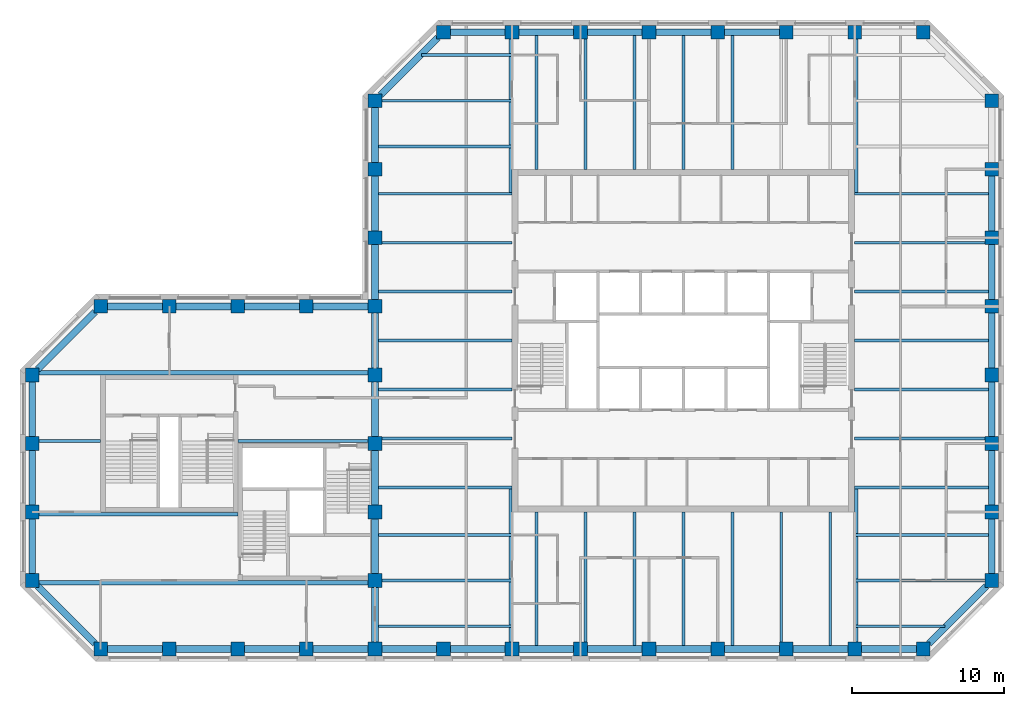
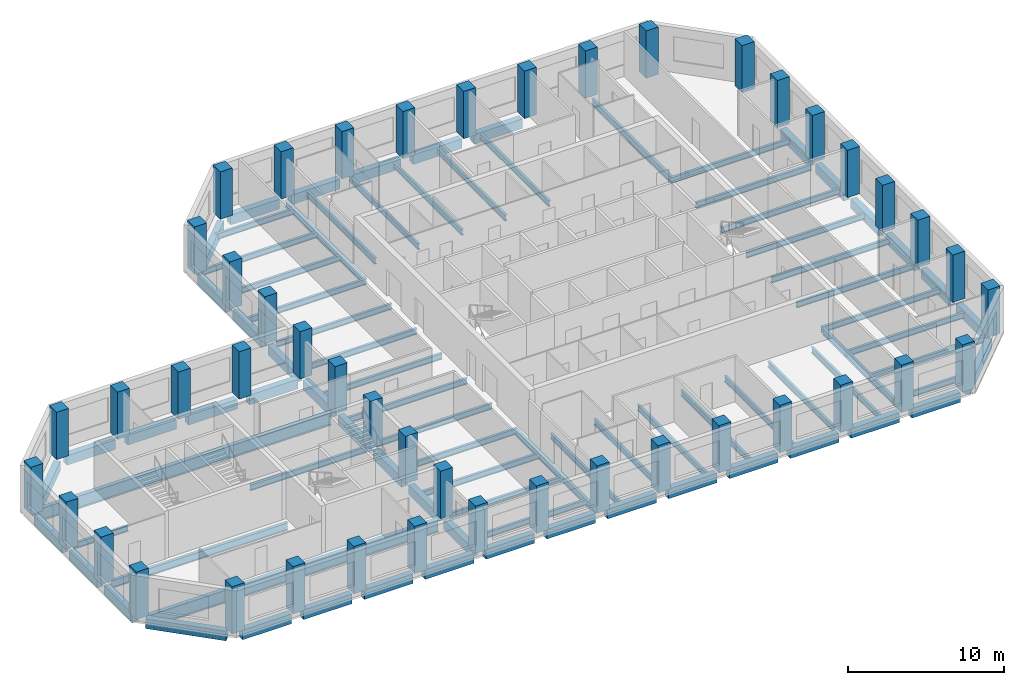
# One storey, part 1 of 9: 86 beams, 45 columns.
"""IFC4 building model written with IfcOpenShell, lengths in metres."""

from ifc_helpers import new_model, si_unit, direction, frame, origin, origin_2d, place, context, subcontext, project, spatial, rectangle, i_section, extrude, material, material_profile, profile_set, type_object, element, save


model = new_model("IFC4")

# Units and contexts
model_context = context("Model", 3, precision=1e-05, world=origin(), true_north=direction((0.0, 1.0)))
body_context = subcontext(model_context, "Body", "Model", "MODEL_VIEW")
ifc_project = project(units=[si_unit("LENGTHUNIT", "METRE"), si_unit("AREAUNIT", "SQUARE_METRE"), si_unit("VOLUMEUNIT", "CUBIC_METRE"), si_unit("PLANEANGLEUNIT", "RADIAN"), si_unit("MASSUNIT", "GRAM", prefix="KILO")], contexts=[model_context])

# Site, building, storey
site_placement = place(None, origin())
site = spatial("IfcSite", under=ifc_project, at=site_placement, CompositionType="ELEMENT")
building_placement = place(site_placement, origin())
building = spatial("IfcBuilding", under=site, at=building_placement, Name="Quoin Convention Tower", CompositionType="ELEMENT")
storey_placement = place(building_placement, frame((0.0, 0.0, 248.89990234375)))
storey = spatial("IfcBuildingStorey", under=building, at=storey_placement, Name="L65", CompositionType="ELEMENT", Elevation=248.89990234375)

# Columns
ifc_material_1 = material(Name="Concrete C50", Category="concrete")
ifc_material_profile_1 = material_profile(ifc_material_1, rectangle(XDim=0.89990234375, YDim=0.89990234375, at=origin_2d()), Name="RC 900x900")
ifc_profile_set_1 = profile_set([ifc_material_profile_1], Name="Concrete C50")
column_type = type_object("IfcColumnType", Name="RC 900x900 C50", PredefinedType="COLUMN", material=ifc_profile_set_1)
for number, where, z_axis, x_axis, name in (
    (1, (18.0, 40.5, 0.0), (0.0, 0.0, 1.0), (1.0, 0.0, 0.0), "col-L65-18000_40500"),
    (2, (22.5, 40.5, 0.0), (0.0, 0.0, 1.0), (1.0, 0.0, 0.0), "col-L65-22500_40500"),
    (3, (27.0, 40.5, 0.0), (0.0, 0.0, 1.0), (1.0, 0.0, 0.0), "col-L65-27000_40500"),
    (4, (31.5, 40.5, 0.0), (0.0, 0.0, 1.0), (1.0, 0.0, 0.0), "col-L65-31500_40500"),
    (5, (36.0, 40.5, 0.0), (0.0, 0.0, 1.0), (1.0, 0.0, 0.0), "col-L65-36000_40500"),
    (6, (40.5, 40.5, 0.0), (0.0, 0.0, 1.0), (1.0, 0.0, 0.0), "col-L65-40500_40500"),
    (7, (45.0, 40.5, 0.0), (0.0, 0.0, 1.0), (1.0, 0.0, 0.0), "col-L65-45000_40500"),
    (8, (49.5, 40.5, 0.0), (0.0, 0.0, 1.0), (1.0, 0.0, 0.0), "col-L65-49500_40500"),
    (9, (54.0, 40.5, 0.0), (0.0, 0.0, 1.0), (1.0, 0.0, 0.0), "col-L65-54000_40500"),
    (10, (58.5, 40.5, 0.0), (0.0, 0.0, 1.0), (1.0, 0.0, 0.0), "col-L65-58500_40500"),
    (11, (63.0, 40.5, 0.0), (0.0, 0.0, 1.0), (1.0, 0.0, 0.0), "col-L65-63000_40500"),
    (12, (67.5, 40.5, 0.0), (0.0, 0.0, 1.0), (1.0, 0.0, 0.0), "col-L65-67500_40500"),
    (13, (72.0, 40.5, 0.0), (0.0, 0.0, 1.0), (1.0, 0.0, 0.0), "col-L65-72000_40500"),
    (14, (13.5, 45.0, 0.0), (0.0, 0.0, 1.0), (1.0, 0.0, 0.0), "col-L65-13500_45000"),
    (15, (36.0, 45.0, 0.0), (0.0, 0.0, 1.0), (1.0, 0.0, 0.0), "web-L65-36000_45000"),
    (16, (76.5, 45.0, 0.0), (0.0, 0.0, 1.0), (1.0, 0.0, 0.0), "col-L65-76500_45000"),
    (17, (13.5, 49.5, 0.0), (0.0, 0.0, 1.0), (1.0, 0.0, 0.0), "col-L65-13500_49500"),
    (18, (36.0, 49.5, 0.0), (0.0, 0.0, 1.0), (1.0, 0.0, 0.0), "web-L65-36000_49500"),
    (19, (76.5, 49.5, 0.0), (0.0, 0.0, 1.0), (1.0, 0.0, 0.0), "col-L65-76500_49500"),
    (20, (13.5, 54.0, 0.0), (0.0, 0.0, 1.0), (1.0, 0.0, 0.0), "col-L65-13500_54000"),
    (21, (36.0, 54.0, 0.0), (0.0, 0.0, 1.0), (1.0, 0.0, 0.0), "web-L65-36000_54000"),
    (22, (76.5, 54.0, 0.0), (0.0, 0.0, 1.0), (1.0, 0.0, 0.0), "col-L65-76500_54000"),
    (23, (13.5, 58.5, 0.0), (0.0, 0.0, 1.0), (1.0, 0.0, 0.0), "col-L65-13500_58500"),
    (24, (36.0, 58.5, 0.0), (0.0, 0.0, 1.0), (1.0, 0.0, 0.0), "web-L65-36000_58500"),
    (25, (76.5, 58.5, 0.0), (0.0, 0.0, 1.0), (1.0, 0.0, 0.0), "col-L65-76500_58500"),
    (26, (18.0, 63.0, 0.0), (0.0, 0.0, 1.0), (1.0, 0.0, 0.0), "col-L65-18000_63000"),
    (27, (22.5, 63.0, 0.0), (0.0, 0.0, 1.0), (1.0, 0.0, 0.0), "col-L65-22500_63000"),
    (28, (27.0, 63.0, 0.0), (0.0, 0.0, 1.0), (1.0, 0.0, 0.0), "col-L65-27000_63000"),
    (29, (31.5, 63.0, 0.0), (0.0, 0.0, 1.0), (1.0, 0.0, 0.0), "col-L65-31500_63000"),
    (30, (36.0, 63.0, 0.0), (0.0, 0.0, 1.0), (1.0, 0.0, 0.0), "col-L65-36000_63000"),
    (31, (76.5, 63.0, 0.0), (0.0, 0.0, 1.0), (1.0, 0.0, 0.0), "col-L65-76500_63000"),
    (32, (36.0, 67.5, 0.0), (0.0, 0.0, 1.0), (1.0, 0.0, 0.0), "col-L65-36000_67500"),
    (33, (76.5, 67.5, 0.0), (0.0, 0.0, 1.0), (1.0, 0.0, 0.0), "col-L65-76500_67500"),
    (34, (36.0, 72.0, 0.0), (0.0, 0.0, 1.0), (1.0, 0.0, 0.0), "col-L65-36000_72000"),
    (35, (76.5, 72.0, 0.0), (0.0, 0.0, 1.0), (1.0, 0.0, 0.0), "col-L65-76500_72000"),
    (36, (36.0, 76.5, 0.0), (0.0, 0.0, 1.0), (1.0, 0.0, 0.0), "col-L65-36000_76500"),
    (37, (76.5, 76.5, 0.0), (0.0, 0.0, 1.0), (1.0, 0.0, 0.0), "col-L65-76500_76500"),
    (38, (40.5, 81.0, 0.0), (0.0, 0.0, 1.0), (1.0, 0.0, 0.0), "col-L65-40500_81000"),
    (39, (45.0, 81.0, 0.0), (0.0, 0.0, 1.0), (1.0, 0.0, 0.0), "col-L65-45000_81000"),
    (40, (49.5, 81.0, 0.0), (0.0, 0.0, 1.0), (1.0, 0.0, 0.0), "col-L65-49500_81000"),
    (41, (54.0, 81.0, 0.0), (0.0, 0.0, 1.0), (1.0, 0.0, 0.0), "col-L65-54000_81000"),
    (42, (58.5, 81.0, 0.0), (0.0, 0.0, 1.0), (1.0, 0.0, 0.0), "col-L65-58500_81000"),
    (43, (63.0, 81.0, 0.0), (0.0, 0.0, 1.0), (1.0, 0.0, 0.0), "col-L65-63000_81000"),
    (44, (67.5, 81.0, 0.0), (0.0, 0.0, 1.0), (1.0, 0.0, 0.0), "col-L65-67500_81000"),
    (45, (72.0, 81.0, 0.0), (0.0, 0.0, 1.0), (1.0, 0.0, 0.0), "col-L65-72000_81000"),
):
    element("IfcColumn", number, at=place(storey_placement, frame(where, z_axis=z_axis, x_axis=x_axis)), inside=storey, type_object=column_type, Name=name, PredefinedType="COLUMN", context=body_context, shape_type="SweptSolid", body=[
        extrude(rectangle(XDim=0.89990234375, YDim=0.89990234375, at=origin_2d()), origin(), (0.0, 0.0, 1.0), 3.7001953125),
    ])

# Beams
ifc_material_2 = material(Name="Steel Grade 300", Category="steel")
ifc_material_profile_2 = material_profile(ifc_material_2, i_section(OverallWidth=0.300048828125, OverallDepth=1.0, WebThickness=0.01611328125, FlangeThickness=0.02001953125, at=origin_2d()), Name="1000WB215")
ifc_profile_set_2 = profile_set([ifc_material_profile_2], Name="Steel Grade 300")
beam_type_1 = type_object("IfcBeamType", Name="1000WB215", PredefinedType="BEAM", material=ifc_profile_set_2)
for number, where, z_axis, x_axis, name in (
    (46, (13.949951171875, 44.85009765625, -0.64990234375), (1.0, 0.0, 0.0), (0.0, 1.0, 0.0), "gir-L65-ST2-1-0"),
    (47, (13.949951171875, 58.64990234375, -0.64990234375), (1.0, 0.0, 0.0), (0.0, 1.0, 0.0), "gir-L65-ST2-4-0"),
):
    element("IfcBeam", number, at=place(storey_placement, frame(where, z_axis=z_axis, x_axis=x_axis)), inside=storey, type_object=beam_type_1, Name=name, PredefinedType="BEAM", context=body_context, shape_type="SweptSolid", body=[
        extrude(i_section(OverallWidth=0.300048828125, OverallDepth=1.0, WebThickness=0.01611328125, FlangeThickness=0.02001953125, at=origin_2d()), origin(), (0.0, 0.0, 1.0), 21.60009765625),
    ])
ifc_material_profile_3 = material_profile(ifc_material_2, i_section(OverallWidth=0.18994140625, OverallDepth=0.4541015625, WebThickness=0.008544921875, FlangeThickness=0.0126953125, FilletRadius=0.011474609375, at=origin_2d()), Name="460UB67.1")
ifc_profile_set_3 = profile_set([ifc_material_profile_3], Name="Steel Grade 300")
beam_type_2 = type_object("IfcBeamType", Name="460UB67.1", PredefinedType="BEAM", material=ifc_profile_set_3)
beam_1_placement = place(storey_placement, frame((36.22509765625, 51.107177734375, -0.376953125), z_axis=(1.0, 0.0, 0.0), x_axis=(0.0, 1.0, 0.0)))
element("IfcBeam", 48, at=beam_1_placement, inside=storey, type_object=beam_type_2, Name="bm-L65-T1W0", PredefinedType="BEAM", context=body_context, shape_type="SweptSolid", body=[
    extrude(i_section(OverallWidth=0.18994140625, OverallDepth=0.4541015625, WebThickness=0.008544921875, FlangeThickness=0.0126953125, FilletRadius=0.011474609375, at=origin_2d()), origin(), (0.0, 0.0, 1.0), 8.77490234375),
])
beam_2_placement = place(storey_placement, frame((36.449951171875, 54.3212890625, -0.376953125), z_axis=(1.0, 0.0, 0.0), x_axis=(0.0, 1.0, 0.0)))
element("IfcBeam", 49, at=beam_2_placement, inside=storey, type_object=beam_type_2, Name="bm-L65-T1W1", PredefinedType="BEAM", context=body_context, shape_type="SweptSolid", body=[
    extrude(i_section(OverallWidth=0.18994140625, OverallDepth=0.4541015625, WebThickness=0.008544921875, FlangeThickness=0.0126953125, FilletRadius=0.011474609375, at=origin_2d()), origin(), (0.0, 0.0, 1.0), 8.550048828125),
])
for number, where, z_axis, x_axis, name in (
    (50, (36.22509765625, 57.53564453125, -0.376953125), (1.0, 0.0, 0.0), (0.0, 1.0, 0.0), "bm-L65-T1W2"),
    (51, (36.22509765625, 60.75, -0.376953125), (1.0, 0.0, 0.0), (0.0, 1.0, 0.0), "bm-L65-T1W3"),
    (52, (36.22509765625, 63.96435546875, -0.376953125), (1.0, 0.0, 0.0), (0.0, 1.0, 0.0), "bm-L65-T1W4"),
):
    element("IfcBeam", number, at=place(storey_placement, frame(where, z_axis=z_axis, x_axis=x_axis)), inside=storey, type_object=beam_type_2, Name=name, PredefinedType="BEAM", context=body_context, shape_type="SweptSolid", body=[
        extrude(i_section(OverallWidth=0.18994140625, OverallDepth=0.4541015625, WebThickness=0.008544921875, FlangeThickness=0.0126953125, FilletRadius=0.011474609375, at=origin_2d()), origin(), (0.0, 0.0, 1.0), 8.77490234375),
    ])
beam_3_placement = place(storey_placement, frame((36.449951171875, 67.1787109375, -0.376953125), z_axis=(1.0, 0.0, 0.0), x_axis=(0.0, 1.0, 0.0)))
element("IfcBeam", 53, at=beam_3_placement, inside=storey, type_object=beam_type_2, Name="bm-L65-T1W5", PredefinedType="BEAM", context=body_context, shape_type="SweptSolid", body=[
    extrude(i_section(OverallWidth=0.18994140625, OverallDepth=0.4541015625, WebThickness=0.008544921875, FlangeThickness=0.0126953125, FilletRadius=0.011474609375, at=origin_2d()), origin(), (0.0, 0.0, 1.0), 8.550048828125),
])
for number, where, z_axis, x_axis, name in (
    (54, (36.22509765625, 70.392822265625, -0.376953125), (1.0, 0.0, 0.0), (0.0, 1.0, 0.0), "bm-L65-T1W6"),
    (55, (67.5, 51.107177734375, -0.376953125), (1.0, 0.0, 0.0), (0.0, 1.0, 0.0), "bm-L65-T1E0"),
):
    element("IfcBeam", number, at=place(storey_placement, frame(where, z_axis=z_axis, x_axis=x_axis)), inside=storey, type_object=beam_type_2, Name=name, PredefinedType="BEAM", context=body_context, shape_type="SweptSolid", body=[
        extrude(i_section(OverallWidth=0.18994140625, OverallDepth=0.4541015625, WebThickness=0.008544921875, FlangeThickness=0.0126953125, FilletRadius=0.011474609375, at=origin_2d()), origin(), (0.0, 0.0, 1.0), 8.77490234375),
    ])
beam_4_placement = place(storey_placement, frame((67.5, 54.3212890625, -0.376953125), z_axis=(1.0, 0.0, 0.0), x_axis=(0.0, 1.0, 0.0)))
element("IfcBeam", 56, at=beam_4_placement, inside=storey, type_object=beam_type_2, Name="bm-L65-T1E1", PredefinedType="BEAM", context=body_context, shape_type="SweptSolid", body=[
    extrude(i_section(OverallWidth=0.18994140625, OverallDepth=0.4541015625, WebThickness=0.008544921875, FlangeThickness=0.0126953125, FilletRadius=0.011474609375, at=origin_2d()), origin(), (0.0, 0.0, 1.0), 8.550048828125),
])
for number, where, z_axis, x_axis, name in (
    (57, (67.5, 57.53564453125, -0.376953125), (1.0, 0.0, 0.0), (0.0, 1.0, 0.0), "bm-L65-T1E2"),
    (58, (67.5, 60.75, -0.376953125), (1.0, 0.0, 0.0), (0.0, 1.0, 0.0), "bm-L65-T1E3"),
    (59, (67.5, 63.96435546875, -0.376953125), (1.0, 0.0, 0.0), (0.0, 1.0, 0.0), "bm-L65-T1E4"),
):
    element("IfcBeam", number, at=place(storey_placement, frame(where, z_axis=z_axis, x_axis=x_axis)), inside=storey, type_object=beam_type_2, Name=name, PredefinedType="BEAM", context=body_context, shape_type="SweptSolid", body=[
        extrude(i_section(OverallWidth=0.18994140625, OverallDepth=0.4541015625, WebThickness=0.008544921875, FlangeThickness=0.0126953125, FilletRadius=0.011474609375, at=origin_2d()), origin(), (0.0, 0.0, 1.0), 8.77490234375),
    ])
beam_5_placement = place(storey_placement, frame((67.5, 67.1787109375, -0.376953125), z_axis=(1.0, 0.0, 0.0), x_axis=(0.0, 1.0, 0.0)))
element("IfcBeam", 60, at=beam_5_placement, inside=storey, type_object=beam_type_2, Name="bm-L65-T1E5", PredefinedType="BEAM", context=body_context, shape_type="SweptSolid", body=[
    extrude(i_section(OverallWidth=0.18994140625, OverallDepth=0.4541015625, WebThickness=0.008544921875, FlangeThickness=0.0126953125, FilletRadius=0.011474609375, at=origin_2d()), origin(), (0.0, 0.0, 1.0), 8.550048828125),
])
for number, where, z_axis, x_axis, name in (
    (61, (67.5, 70.392822265625, -0.376953125), (1.0, 0.0, 0.0), (0.0, 1.0, 0.0), "bm-L65-T1E6"),
    (62, (46.607177734375, 40.72509765625, -0.376953125), (0.0, 1.0, 0.0), (-1.0, 0.0, 0.0), "bm-L65-T1S0"),
):
    element("IfcBeam", number, at=place(storey_placement, frame(where, z_axis=z_axis, x_axis=x_axis)), inside=storey, type_object=beam_type_2, Name=name, PredefinedType="BEAM", context=body_context, shape_type="SweptSolid", body=[
        extrude(i_section(OverallWidth=0.18994140625, OverallDepth=0.4541015625, WebThickness=0.008544921875, FlangeThickness=0.0126953125, FilletRadius=0.011474609375, at=origin_2d()), origin(), (0.0, 0.0, 1.0), 8.77490234375),
    ])
beam_6_placement = place(storey_placement, frame((49.8212890625, 40.949951171875, -0.376953125), z_axis=(0.0, 1.0, 0.0), x_axis=(-1.0, 0.0, 0.0)))
element("IfcBeam", 63, at=beam_6_placement, inside=storey, type_object=beam_type_2, Name="bm-L65-T1S1", PredefinedType="BEAM", context=body_context, shape_type="SweptSolid", body=[
    extrude(i_section(OverallWidth=0.18994140625, OverallDepth=0.4541015625, WebThickness=0.008544921875, FlangeThickness=0.0126953125, FilletRadius=0.011474609375, at=origin_2d()), origin(), (0.0, 0.0, 1.0), 8.550048828125),
])
for number, where, z_axis, x_axis, name in (
    (64, (53.03564453125, 40.72509765625, -0.376953125), (0.0, 1.0, 0.0), (-1.0, 0.0, 0.0), "bm-L65-T1S2"),
    (65, (56.25, 40.72509765625, -0.376953125), (0.0, 1.0, 0.0), (-1.0, 0.0, 0.0), "bm-L65-T1S3"),
    (66, (59.46435546875, 40.72509765625, -0.376953125), (0.0, 1.0, 0.0), (-1.0, 0.0, 0.0), "bm-L65-T1S4"),
):
    element("IfcBeam", number, at=place(storey_placement, frame(where, z_axis=z_axis, x_axis=x_axis)), inside=storey, type_object=beam_type_2, Name=name, PredefinedType="BEAM", context=body_context, shape_type="SweptSolid", body=[
        extrude(i_section(OverallWidth=0.18994140625, OverallDepth=0.4541015625, WebThickness=0.008544921875, FlangeThickness=0.0126953125, FilletRadius=0.011474609375, at=origin_2d()), origin(), (0.0, 0.0, 1.0), 8.77490234375),
    ])
beam_7_placement = place(storey_placement, frame((62.6787109375, 40.949951171875, -0.376953125), z_axis=(0.0, 1.0, 0.0), x_axis=(-1.0, 0.0, 0.0)))
element("IfcBeam", 67, at=beam_7_placement, inside=storey, type_object=beam_type_2, Name="bm-L65-T1S5", PredefinedType="BEAM", context=body_context, shape_type="SweptSolid", body=[
    extrude(i_section(OverallWidth=0.18994140625, OverallDepth=0.4541015625, WebThickness=0.008544921875, FlangeThickness=0.0126953125, FilletRadius=0.011474609375, at=origin_2d()), origin(), (0.0, 0.0, 1.0), 8.550048828125),
])
for number, where, z_axis, x_axis, name in (
    (68, (65.892822265625, 40.72509765625, -0.376953125), (0.0, 1.0, 0.0), (-1.0, 0.0, 0.0), "bm-L65-T1S6"),
    (69, (46.607177734375, 72.0, -0.376953125), (0.0, 1.0, 0.0), (-1.0, 0.0, 0.0), "bm-L65-T1N0"),
):
    element("IfcBeam", number, at=place(storey_placement, frame(where, z_axis=z_axis, x_axis=x_axis)), inside=storey, type_object=beam_type_2, Name=name, PredefinedType="BEAM", context=body_context, shape_type="SweptSolid", body=[
        extrude(i_section(OverallWidth=0.18994140625, OverallDepth=0.4541015625, WebThickness=0.008544921875, FlangeThickness=0.0126953125, FilletRadius=0.011474609375, at=origin_2d()), origin(), (0.0, 0.0, 1.0), 8.77490234375),
    ])
beam_8_placement = place(storey_placement, frame((49.8212890625, 72.0, -0.376953125), z_axis=(0.0, 1.0, 0.0), x_axis=(-1.0, 0.0, 0.0)))
element("IfcBeam", 70, at=beam_8_placement, inside=storey, type_object=beam_type_2, Name="bm-L65-T1N1", PredefinedType="BEAM", context=body_context, shape_type="SweptSolid", body=[
    extrude(i_section(OverallWidth=0.18994140625, OverallDepth=0.4541015625, WebThickness=0.008544921875, FlangeThickness=0.0126953125, FilletRadius=0.011474609375, at=origin_2d()), origin(), (0.0, 0.0, 1.0), 8.550048828125),
])
for number, where, z_axis, x_axis, name in (
    (71, (53.03564453125, 72.0, -0.376953125), (0.0, 1.0, 0.0), (-1.0, 0.0, 0.0), "bm-L65-T1N2"),
    (72, (56.25, 72.0, -0.376953125), (0.0, 1.0, 0.0), (-1.0, 0.0, 0.0), "bm-L65-T1N3"),
    (73, (59.46435546875, 72.0, -0.376953125), (0.0, 1.0, 0.0), (-1.0, 0.0, 0.0), "bm-L65-T1N4"),
    (74, (36.22509765625, 42.0, -0.376953125), (1.0, 0.0, 0.0), (0.0, 1.0, 0.0), "bm-L65-T1SW0"),
):
    element("IfcBeam", number, at=place(storey_placement, frame(where, z_axis=z_axis, x_axis=x_axis)), inside=storey, type_object=beam_type_2, Name=name, PredefinedType="BEAM", context=body_context, shape_type="SweptSolid", body=[
        extrude(i_section(OverallWidth=0.18994140625, OverallDepth=0.4541015625, WebThickness=0.008544921875, FlangeThickness=0.0126953125, FilletRadius=0.011474609375, at=origin_2d()), origin(), (0.0, 0.0, 1.0), 8.77490234375),
    ])
beam_9_placement = place(storey_placement, frame((36.449951171875, 45.0, -0.376953125), z_axis=(1.0, 0.0, 0.0), x_axis=(0.0, 1.0, 0.0)))
element("IfcBeam", 75, at=beam_9_placement, inside=storey, type_object=beam_type_2, Name="bm-L65-T1SW1", PredefinedType="BEAM", context=body_context, shape_type="SweptSolid", body=[
    extrude(i_section(OverallWidth=0.18994140625, OverallDepth=0.4541015625, WebThickness=0.008544921875, FlangeThickness=0.0126953125, FilletRadius=0.011474609375, at=origin_2d()), origin(), (0.0, 0.0, 1.0), 8.550048828125),
])
beam_10_placement = place(storey_placement, frame((36.22509765625, 48.0, -0.376953125), z_axis=(1.0, 0.0, 0.0), x_axis=(0.0, 1.0, 0.0)))
element("IfcBeam", 76, at=beam_10_placement, inside=storey, type_object=beam_type_2, Name="bm-L65-T1SW2", PredefinedType="BEAM", context=body_context, shape_type="SweptSolid", body=[
    extrude(i_section(OverallWidth=0.18994140625, OverallDepth=0.4541015625, WebThickness=0.008544921875, FlangeThickness=0.0126953125, FilletRadius=0.011474609375, at=origin_2d()), origin(), (0.0, 0.0, 1.0), 8.77490234375),
])
beam_11_placement = place(storey_placement, frame((67.5, 42.0, -0.376953125), z_axis=(1.0, 0.0, 0.0), x_axis=(0.0, 1.0, 0.0)))
element("IfcBeam", 77, at=beam_11_placement, inside=storey, type_object=beam_type_2, Name="bm-L65-T1SE0", PredefinedType="BEAM", context=body_context, shape_type="SweptSolid", body=[
    extrude(i_section(OverallWidth=0.18994140625, OverallDepth=0.4541015625, WebThickness=0.008544921875, FlangeThickness=0.0126953125, FilletRadius=0.011474609375, at=origin_2d()), origin(), (0.0, 0.0, 1.0), 5.935791015625),
])
beam_12_placement = place(storey_placement, frame((67.5, 45.0, -0.376953125), z_axis=(1.0, 0.0, 0.0), x_axis=(0.0, 1.0, 0.0)))
element("IfcBeam", 78, at=beam_12_placement, inside=storey, type_object=beam_type_2, Name="bm-L65-T1SE1", PredefinedType="BEAM", context=body_context, shape_type="SweptSolid", body=[
    extrude(i_section(OverallWidth=0.18994140625, OverallDepth=0.4541015625, WebThickness=0.008544921875, FlangeThickness=0.0126953125, FilletRadius=0.011474609375, at=origin_2d()), origin(), (0.0, 0.0, 1.0), 8.550048828125),
])
beam_13_placement = place(storey_placement, frame((67.5, 48.0, -0.376953125), z_axis=(1.0, 0.0, 0.0), x_axis=(0.0, 1.0, 0.0)))
element("IfcBeam", 79, at=beam_13_placement, inside=storey, type_object=beam_type_2, Name="bm-L65-T1SE2", PredefinedType="BEAM", context=body_context, shape_type="SweptSolid", body=[
    extrude(i_section(OverallWidth=0.18994140625, OverallDepth=0.4541015625, WebThickness=0.008544921875, FlangeThickness=0.0126953125, FilletRadius=0.011474609375, at=origin_2d()), origin(), (0.0, 0.0, 1.0), 8.77490234375),
])
beam_14_placement = place(storey_placement, frame((39.064208984375, 79.5, -0.376953125), z_axis=(1.0, 0.0, 0.0), x_axis=(0.0, 1.0, 0.0)))
element("IfcBeam", 80, at=beam_14_placement, inside=storey, type_object=beam_type_2, Name="bm-L65-T1NW0", PredefinedType="BEAM", context=body_context, shape_type="SweptSolid", body=[
    extrude(i_section(OverallWidth=0.18994140625, OverallDepth=0.4541015625, WebThickness=0.008544921875, FlangeThickness=0.0126953125, FilletRadius=0.011474609375, at=origin_2d()), origin(), (0.0, 0.0, 1.0), 5.935791015625),
])
beam_15_placement = place(storey_placement, frame((36.449951171875, 76.5, -0.376953125), z_axis=(1.0, 0.0, 0.0), x_axis=(0.0, 1.0, 0.0)))
element("IfcBeam", 81, at=beam_15_placement, inside=storey, type_object=beam_type_2, Name="bm-L65-T1NW1", PredefinedType="BEAM", context=body_context, shape_type="SweptSolid", body=[
    extrude(i_section(OverallWidth=0.18994140625, OverallDepth=0.4541015625, WebThickness=0.008544921875, FlangeThickness=0.0126953125, FilletRadius=0.011474609375, at=origin_2d()), origin(), (0.0, 0.0, 1.0), 8.550048828125),
])
beam_16_placement = place(storey_placement, frame((36.22509765625, 73.5, -0.376953125), z_axis=(1.0, 0.0, 0.0), x_axis=(0.0, 1.0, 0.0)))
element("IfcBeam", 82, at=beam_16_placement, inside=storey, type_object=beam_type_2, Name="bm-L65-T1NW2", PredefinedType="BEAM", context=body_context, shape_type="SweptSolid", body=[
    extrude(i_section(OverallWidth=0.18994140625, OverallDepth=0.4541015625, WebThickness=0.008544921875, FlangeThickness=0.0126953125, FilletRadius=0.011474609375, at=origin_2d()), origin(), (0.0, 0.0, 1.0), 8.77490234375),
])
beam_17_placement = place(storey_placement, frame((13.949951171875, 54.14990234375, -0.376953125), z_axis=(1.0, 0.0, 0.0), x_axis=(0.0, 1.0, 0.0)))
element("IfcBeam", 83, at=beam_17_placement, inside=storey, type_object=beam_type_2, Name="gir-L65-ST2-3-0", PredefinedType="BEAM", context=body_context, shape_type="SweptSolid", body=[
    extrude(i_section(OverallWidth=0.18994140625, OverallDepth=0.4541015625, WebThickness=0.008544921875, FlangeThickness=0.0126953125, FilletRadius=0.011474609375, at=origin_2d()), origin(), (0.0, 0.0, 1.0), 4.050048828125),
])
beam_18_placement = place(storey_placement, frame((27.0, 54.14990234375, -0.376953125), z_axis=(1.0, 0.0, 0.0), x_axis=(0.0, 1.0, 0.0)))
element("IfcBeam", 84, at=beam_18_placement, inside=storey, type_object=beam_type_2, Name="gir-L65-ST2-3-1", PredefinedType="BEAM", context=body_context, shape_type="SweptSolid", body=[
    extrude(i_section(OverallWidth=0.18994140625, OverallDepth=0.4541015625, WebThickness=0.008544921875, FlangeThickness=0.0126953125, FilletRadius=0.011474609375, at=origin_2d()), origin(), (0.0, 0.0, 1.0), 8.550048828125),
])
ifc_material_profile_4 = material_profile(ifc_material_2, i_section(OverallWidth=0.208984375, OverallDepth=0.528076171875, WebThickness=0.009521484375, FlangeThickness=0.01318359375, FilletRadius=0.013916015625, at=origin_2d()), Name="530UB82.0")
ifc_profile_set_4 = profile_set([ifc_material_profile_4], Name="Steel Grade 300")
beam_type_3 = type_object("IfcBeamType", Name="530UB82.0", PredefinedType="BEAM", material=ifc_profile_set_4)
for number, where, z_axis, x_axis, name in (
    (85, (44.904541015625, 40.949951171875, -0.413818359375), (0.0, 1.0, 0.0), (-1.0, 0.0, 0.0), "gir-L65-T1SW"),
    (86, (67.595458984375, 40.949951171875, -0.413818359375), (0.0, 1.0, 0.0), (-1.0, 0.0, 0.0), "gir-L65-T1SE"),
    (87, (44.904541015625, 80.550048828125, -0.413818359375), (0.0, -1.0, 0.0), (1.0, 0.0, 0.0), "gir-L65-T1NW"),
    (88, (67.595458984375, 80.550048828125, -0.413818359375), (0.0, -1.0, 0.0), (1.0, 0.0, 0.0), "gir-L65-T1NE"),
):
    element("IfcBeam", number, at=place(storey_placement, frame(where, z_axis=z_axis, x_axis=x_axis)), inside=storey, type_object=beam_type_3, Name=name, PredefinedType="BEAM", context=body_context, shape_type="SweptSolid", body=[
        extrude(i_section(OverallWidth=0.208984375, OverallDepth=0.528076171875, WebThickness=0.009521484375, FlangeThickness=0.01318359375, FilletRadius=0.013916015625, at=origin_2d()), origin(), (0.0, 0.0, 1.0), 10.062255859375),
    ])
ifc_material_profile_5 = material_profile(ifc_material_2, i_section(OverallWidth=0.22802734375, OverallDepth=0.60205078125, WebThickness=0.010498046875, FlangeThickness=0.014892578125, FilletRadius=0.013916015625, at=origin_2d()), Name="610UB101")
ifc_profile_set_5 = profile_set([ifc_material_profile_5], Name="Steel Grade 300")
beam_type_4 = type_object("IfcBeamType", Name="610UB101", PredefinedType="BEAM", material=ifc_profile_set_5)
beam_19_placement = place(storey_placement, frame((13.949951171875, 49.35009765625, -0.450927734375), z_axis=(1.0, 0.0, 0.0), x_axis=(0.0, 1.0, 0.0)))
element("IfcBeam", 89, at=beam_19_placement, inside=storey, type_object=beam_type_4, Name="gir-L65-ST2-2-0", PredefinedType="BEAM", context=body_context, shape_type="SweptSolid", body=[
    extrude(i_section(OverallWidth=0.22802734375, OverallDepth=0.60205078125, WebThickness=0.010498046875, FlangeThickness=0.014892578125, FilletRadius=0.013916015625, at=origin_2d()), origin(), (0.0, 0.0, 1.0), 13.050048828125),
])
ifc_material_profile_6 = material_profile(ifc_material_1, rectangle(XDim=0.449951171875, YDim=0.75, at=origin_2d()), Name="RC 450x750")
ifc_profile_set_6 = profile_set([ifc_material_profile_6], Name="Concrete C50")
beam_type_5 = type_object("IfcBeamType", Name="RC 450x750 C50", PredefinedType="SPANDREL", material=ifc_profile_set_6)
for number, where, z_axis, x_axis, name in (
    (90, (36.449951171875, 40.5, -0.52490234375), (1.0, 0.0, 0.0), (0.0, 1.0, 0.0), "spd-L65-36000_40500-40500_40500"),
    (91, (40.949951171875, 40.5, -0.52490234375), (1.0, 0.0, 0.0), (0.0, 1.0, 0.0), "spd-L65-40500_40500-45000_40500"),
    (92, (45.449951171875, 40.5, -0.52490234375), (1.0, 0.0, 0.0), (0.0, 1.0, 0.0), "spd-L65-45000_40500-49500_40500"),
    (93, (49.949951171875, 40.5, -0.52490234375), (1.0, 0.0, 0.0), (0.0, 1.0, 0.0), "spd-L65-49500_40500-54000_40500"),
    (94, (54.449951171875, 40.5, -0.52490234375), (1.0, 0.0, 0.0), (0.0, 1.0, 0.0), "spd-L65-54000_40500-58500_40500"),
    (95, (58.949951171875, 40.5, -0.52490234375), (1.0, 0.0, 0.0), (0.0, 1.0, 0.0), "spd-L65-58500_40500-63000_40500"),
    (96, (63.449951171875, 40.5, -0.52490234375), (1.0, 0.0, 0.0), (0.0, 1.0, 0.0), "spd-L65-63000_40500-67500_40500"),
    (97, (67.949951171875, 40.5, -0.52490234375), (1.0, 0.0, 0.0), (0.0, 1.0, 0.0), "spd-L65-67500_40500-72000_40500"),
):
    element("IfcBeam", number, at=place(storey_placement, frame(where, z_axis=z_axis, x_axis=x_axis)), inside=storey, type_object=beam_type_5, Name=name, PredefinedType="SPANDREL", context=body_context, shape_type="SweptSolid", body=[
        extrude(rectangle(XDim=0.449951171875, YDim=0.75, at=origin_2d()), origin(), (0.0, 0.0, 1.0), 3.60009765625),
    ])
beam_20_placement = place(storey_placement, frame((72.364990234375, 40.864990234375, -0.52490234375), z_axis=(0.707106781187, 0.707106781187, 0.0), x_axis=(-0.707106781187, 0.707106781187, 0.0)))
element("IfcBeam", 98, at=beam_20_placement, inside=storey, type_object=beam_type_5, Name="spd-L65-72000_40500-76500_45000", PredefinedType="SPANDREL", context=body_context, shape_type="SweptSolid", body=[
    extrude(rectangle(XDim=0.449951171875, YDim=0.75, at=origin_2d()), origin(), (0.0, 0.0, 1.0), 5.33154296875),
])
for number, where, z_axis, x_axis, name in (
    (99, (76.5, 45.449951171875, -0.52490234375), (0.0, 1.0, 0.0), (-1.0, 0.0, 0.0), "spd-L65-76500_45000-76500_49500"),
    (100, (76.5, 49.949951171875, -0.52490234375), (0.0, 1.0, 0.0), (-1.0, 0.0, 0.0), "spd-L65-76500_49500-76500_54000"),
    (101, (76.5, 54.449951171875, -0.52490234375), (0.0, 1.0, 0.0), (-1.0, 0.0, 0.0), "spd-L65-76500_54000-76500_58500"),
    (102, (76.5, 58.949951171875, -0.52490234375), (0.0, 1.0, 0.0), (-1.0, 0.0, 0.0), "spd-L65-76500_58500-76500_63000"),
    (103, (76.5, 63.449951171875, -0.52490234375), (0.0, 1.0, 0.0), (-1.0, 0.0, 0.0), "spd-L65-76500_63000-76500_67500"),
    (104, (76.5, 67.949951171875, -0.52490234375), (0.0, 1.0, 0.0), (-1.0, 0.0, 0.0), "spd-L65-76500_67500-76500_72000"),
    (105, (62.550048828125, 81.0, -0.52490234375), (-1.0, 0.0, 0.0), (0.0, -1.0, 0.0), "spd-L65-63000_81000-58500_81000"),
    (106, (58.050048828125, 81.0, -0.52490234375), (-1.0, 0.0, 0.0), (0.0, -1.0, 0.0), "spd-L65-58500_81000-54000_81000"),
    (107, (53.550048828125, 81.0, -0.52490234375), (-1.0, 0.0, 0.0), (0.0, -1.0, 0.0), "spd-L65-54000_81000-49500_81000"),
    (108, (49.050048828125, 81.0, -0.52490234375), (-1.0, 0.0, 0.0), (0.0, -1.0, 0.0), "spd-L65-49500_81000-45000_81000"),
    (109, (44.550048828125, 81.0, -0.52490234375), (-1.0, 0.0, 0.0), (0.0, -1.0, 0.0), "spd-L65-45000_81000-40500_81000"),
):
    element("IfcBeam", number, at=place(storey_placement, frame(where, z_axis=z_axis, x_axis=x_axis)), inside=storey, type_object=beam_type_5, Name=name, PredefinedType="SPANDREL", context=body_context, shape_type="SweptSolid", body=[
        extrude(rectangle(XDim=0.449951171875, YDim=0.75, at=origin_2d()), origin(), (0.0, 0.0, 1.0), 3.60009765625),
    ])
beam_21_placement = place(storey_placement, frame((40.135009765625, 80.635009765625, -0.52490234375), z_axis=(-0.707106781187, -0.707106781187, 0.0), x_axis=(0.707106781187, -0.707106781187, 0.0)))
element("IfcBeam", 110, at=beam_21_placement, inside=storey, type_object=beam_type_5, Name="spd-L65-40500_81000-36000_76500", PredefinedType="SPANDREL", context=body_context, shape_type="SweptSolid", body=[
    extrude(rectangle(XDim=0.449951171875, YDim=0.75, at=origin_2d()), origin(), (0.0, 0.0, 1.0), 5.33154296875),
])
for number, where, z_axis, x_axis, name in (
    (111, (36.0, 76.050048828125, -0.52490234375), (0.0, -1.0, 0.0), (1.0, 0.0, 0.0), "spd-L65-36000_76500-36000_72000"),
    (112, (36.0, 71.550048828125, -0.52490234375), (0.0, -1.0, 0.0), (1.0, 0.0, 0.0), "spd-L65-36000_72000-36000_67500"),
    (113, (36.0, 67.050048828125, -0.52490234375), (0.0, -1.0, 0.0), (1.0, 0.0, 0.0), "spd-L65-36000_67500-36000_63000"),
    (114, (35.550048828125, 63.0, -0.52490234375), (-1.0, 0.0, 0.0), (0.0, -1.0, 0.0), "spd-L65-36000_63000-31500_63000"),
    (115, (31.050048828125, 63.0, -0.52490234375), (-1.0, 0.0, 0.0), (0.0, -1.0, 0.0), "spd-L65-31500_63000-27000_63000"),
    (116, (26.550048828125, 63.0, -0.52490234375), (-1.0, 0.0, 0.0), (0.0, -1.0, 0.0), "spd-L65-27000_63000-22500_63000"),
    (117, (22.050048828125, 63.0, -0.52490234375), (-1.0, 0.0, 0.0), (0.0, -1.0, 0.0), "spd-L65-22500_63000-18000_63000"),
):
    element("IfcBeam", number, at=place(storey_placement, frame(where, z_axis=z_axis, x_axis=x_axis)), inside=storey, type_object=beam_type_5, Name=name, PredefinedType="SPANDREL", context=body_context, shape_type="SweptSolid", body=[
        extrude(rectangle(XDim=0.449951171875, YDim=0.75, at=origin_2d()), origin(), (0.0, 0.0, 1.0), 3.60009765625),
    ])
beam_22_placement = place(storey_placement, frame((17.635009765625, 62.635009765625, -0.52490234375), z_axis=(-0.707106781187, -0.707106781187, 0.0), x_axis=(0.707106781187, -0.707106781187, 0.0)))
element("IfcBeam", 118, at=beam_22_placement, inside=storey, type_object=beam_type_5, Name="spd-L65-18000_63000-13500_58500", PredefinedType="SPANDREL", context=body_context, shape_type="SweptSolid", body=[
    extrude(rectangle(XDim=0.449951171875, YDim=0.75, at=origin_2d()), origin(), (0.0, 0.0, 1.0), 5.33154296875),
])
for number, where, z_axis, x_axis, name in (
    (119, (13.5, 58.050048828125, -0.52490234375), (0.0, -1.0, 0.0), (1.0, 0.0, 0.0), "spd-L65-13500_58500-13500_54000"),
    (120, (13.5, 53.550048828125, -0.52490234375), (0.0, -1.0, 0.0), (1.0, 0.0, 0.0), "spd-L65-13500_54000-13500_49500"),
    (121, (13.5, 49.050048828125, -0.52490234375), (0.0, -1.0, 0.0), (1.0, 0.0, 0.0), "spd-L65-13500_49500-13500_45000"),
):
    element("IfcBeam", number, at=place(storey_placement, frame(where, z_axis=z_axis, x_axis=x_axis)), inside=storey, type_object=beam_type_5, Name=name, PredefinedType="SPANDREL", context=body_context, shape_type="SweptSolid", body=[
        extrude(rectangle(XDim=0.449951171875, YDim=0.75, at=origin_2d()), origin(), (0.0, 0.0, 1.0), 3.60009765625),
    ])
beam_23_placement = place(storey_placement, frame((13.864990234375, 44.635009765625, -0.52490234375), z_axis=(0.707106781187, -0.707106781187, 0.0), x_axis=(0.707106781187, 0.707106781187, 0.0)))
element("IfcBeam", 122, at=beam_23_placement, inside=storey, type_object=beam_type_5, Name="spd-L65-13500_45000-18000_40500", PredefinedType="SPANDREL", context=body_context, shape_type="SweptSolid", body=[
    extrude(rectangle(XDim=0.449951171875, YDim=0.75, at=origin_2d()), origin(), (0.0, 0.0, 1.0), 5.33154296875),
])
for number, where, z_axis, x_axis, name in (
    (123, (18.449951171875, 40.5, -0.52490234375), (1.0, 0.0, 0.0), (0.0, 1.0, 0.0), "spd-L65-18000_40500-22500_40500"),
    (124, (22.949951171875, 40.5, -0.52490234375), (1.0, 0.0, 0.0), (0.0, 1.0, 0.0), "spd-L65-22500_40500-27000_40500"),
    (125, (27.449951171875, 40.5, -0.52490234375), (1.0, 0.0, 0.0), (0.0, 1.0, 0.0), "spd-L65-27000_40500-31500_40500"),
    (126, (31.949951171875, 40.5, -0.52490234375), (1.0, 0.0, 0.0), (0.0, 1.0, 0.0), "spd-L65-31500_40500-36000_40500"),
    (127, (36.0, 40.949951171875, -0.52490234375), (0.0, 1.0, 0.0), (-1.0, 0.0, 0.0), "spd-L65-36000_40500-36000_45000"),
    (128, (36.0, 45.449951171875, -0.52490234375), (0.0, 1.0, 0.0), (-1.0, 0.0, 0.0), "spd-L65-36000_45000-36000_49500"),
    (129, (36.0, 49.949951171875, -0.52490234375), (0.0, 1.0, 0.0), (-1.0, 0.0, 0.0), "spd-L65-36000_49500-36000_54000"),
    (130, (36.0, 54.449951171875, -0.52490234375), (0.0, 1.0, 0.0), (-1.0, 0.0, 0.0), "spd-L65-36000_54000-36000_58500"),
    (131, (36.0, 58.949951171875, -0.52490234375), (0.0, 1.0, 0.0), (-1.0, 0.0, 0.0), "spd-L65-36000_58500-36000_63000"),
):
    element("IfcBeam", number, at=place(storey_placement, frame(where, z_axis=z_axis, x_axis=x_axis)), inside=storey, type_object=beam_type_5, Name=name, PredefinedType="SPANDREL", context=body_context, shape_type="SweptSolid", body=[
        extrude(rectangle(XDim=0.449951171875, YDim=0.75, at=origin_2d()), origin(), (0.0, 0.0, 1.0), 3.60009765625),
    ])

save(model, "model.ifc")
